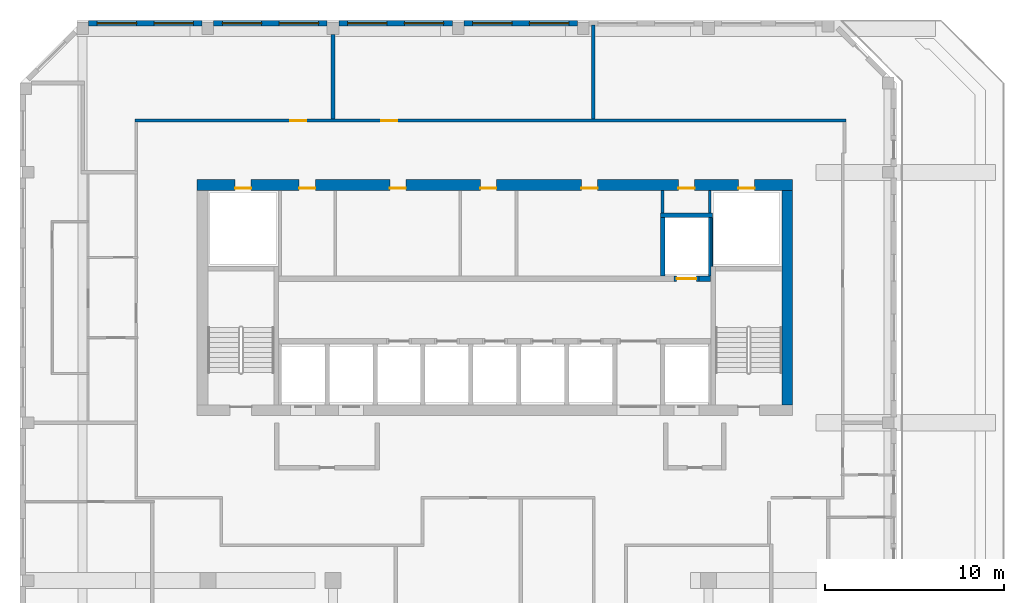
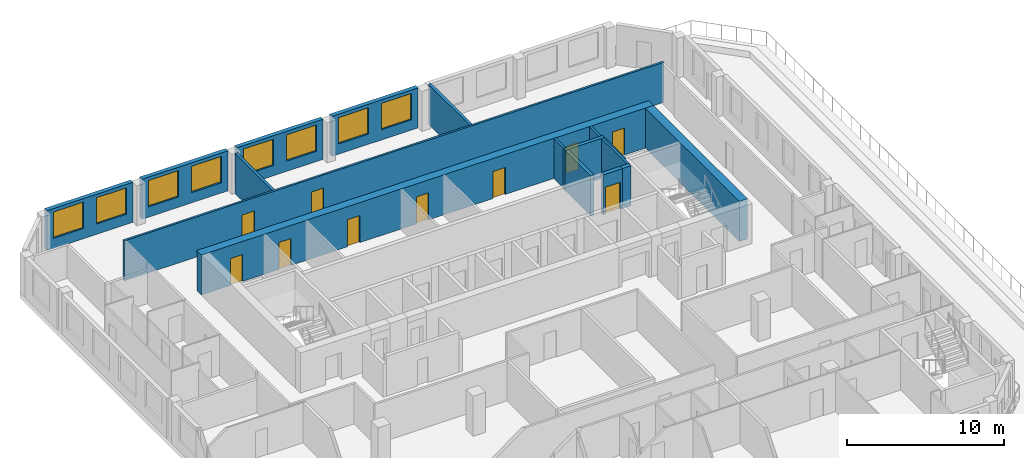
# One storey, part 8 of 13: 17 walls, 10 doors, 8 windows, 18 openings.
"""IFC4 building model written with IfcOpenShell, lengths in metres."""

import ifcopenshell
import ifcopenshell.guid

model = None  # the IFC model being written
_history = None  # IfcOwnerHistory: only IFC2X3 demands one
_inside = {}  # id of a spatial element -> (the spatial element, [elements in it])
_under = {}  # id of a project, library or spatial element -> (it, [spatial elements below it])
_declared = {}  # id of a project -> (the project, [libraries it declares])
_typed = {}  # id of a type object -> (the type object, [elements of that type])
_made_of = {}  # id of a material, layer set ... -> (it, [elements and type objects made of it])


def new_model(schema):
    """Start an empty IFC model of exactly this schema.

    Asked for "IFC4X3", IfcOpenShell would pick the latest addendum, in which some entities
    have other attributes; the version numbers below select the first issue.
    IFC2X3 requires an IfcOwnerHistory on every rooted entity: one is made here for all.
    """
    global model, _history
    if schema == "IFC4X3":
        model = ifcopenshell.file(schema_version=(4, 3, 0, 0))
    else:
        model = ifcopenshell.file(schema=schema)
    _inside.clear()
    _under.clear()
    _declared.clear()
    _typed.clear()
    _made_of.clear()
    _history = None
    if model.schema == "IFC2X3":
        org = make("IfcOrganization", Name="unknown")
        user = make(
            "IfcPersonAndOrganization",
            ThePerson=make("IfcPerson", FamilyName="unknown"),
            TheOrganization=org,
        )
        app = make(
            "IfcApplication",
            ApplicationDeveloper=org,
            Version="unknown",
            ApplicationFullName="unknown",
            ApplicationIdentifier="unknown",
        )
        _history = make(
            "IfcOwnerHistory",
            OwningUser=user,
            OwningApplication=app,
            ChangeAction="ADDED",
            CreationDate=0,
        )
    return model


def make(cls, **values):
    """One entity of the class cls with the attributes given. An attribute that is None is left unset."""
    return model.create_entity(
        cls, **{name: value for name, value in values.items() if value is not None}
    )


def rooted(cls, **values):
    """An entity with a GlobalId (a new one), such as an element, a storey or a relation."""
    return make(cls, GlobalId=ifcopenshell.guid.new(), OwnerHistory=_history, **values)


def si_unit(unit_type, name, prefix=None):
    """IfcSIUnit, for example si_unit("LENGTHUNIT", "METRE", prefix="MILLI")."""
    return make("IfcSIUnit", UnitType=unit_type, Prefix=prefix, Name=name)


def assignment(units):
    """IfcUnitAssignment: the units of a project."""
    return None if units is None else make("IfcUnitAssignment", Units=units)


def point(xyz):
    """IfcCartesianPoint."""
    return None if xyz is None else make("IfcCartesianPoint", Coordinates=xyz)


def direction(xyz):
    """IfcDirection."""
    return None if xyz is None else make("IfcDirection", DirectionRatios=xyz)


def frame(location, z_axis=None, x_axis=None):
    """IfcAxis2Placement3D, a coordinate frame: its origin and axes. An axis left out is left unset."""
    return make(
        "IfcAxis2Placement3D",
        Location=point(location),
        Axis=direction(z_axis),
        RefDirection=direction(x_axis),
    )


def frame_2d(location, x_axis=None):
    """IfcAxis2Placement2D, a coordinate frame in the plane: its origin and x axis."""
    return make(
        "IfcAxis2Placement2D", Location=point(location), RefDirection=direction(x_axis)
    )


def origin():
    """The frame at (0, 0, 0) with its axes left unset."""
    return frame((0.0, 0.0, 0.0))


def place(relative_to, where):
    """IfcLocalPlacement: puts the frame where relative to a parent placement (None: the world)."""
    return make(
        "IfcLocalPlacement", PlacementRelTo=relative_to, RelativePlacement=where
    )


def context(
    kind, dimensions, precision=None, world=None, true_north=None, identifier=None
):
    """IfcGeometricRepresentationContext, for example the 3D "Model" context."""
    return make(
        "IfcGeometricRepresentationContext",
        ContextIdentifier=identifier,
        ContextType=kind,
        CoordinateSpaceDimension=dimensions,
        Precision=precision,
        WorldCoordinateSystem=world,
        TrueNorth=true_north,
    )


def subcontext(parent, identifier, kind, view, scale=None):
    """IfcGeometricRepresentationSubContext, for example "Body" below "Model"."""
    return make(
        "IfcGeometricRepresentationSubContext",
        ContextIdentifier=identifier,
        ContextType=kind,
        ParentContext=parent,
        TargetScale=scale,
        TargetView=view,
    )


def project(units=None, contexts=None):
    """IfcProject with its units and contexts."""
    return rooted(
        "IfcProject",
        Name="project",
        RepresentationContexts=contexts,
        UnitsInContext=assignment(units),
    )


def spatial(cls, under=None, at=None, **own):
    """A site, building, storey or space (cls), placed at a placement, below another one or the project."""
    s = rooted(cls, ObjectPlacement=at, **own)
    if under is not None:
        _under.setdefault(under.id(), (under, []))[1].append(s)
    return s


def profile(cls, at=None, kind="AREA", **sizes):
    """A parametric profile (cls). Its sizes go by their IFC names, for example OverallWidth=200.0."""
    return make(cls, ProfileType=kind, Position=at, **sizes)


def rectangle(**sizes):
    """IfcRectangleProfileDef."""
    return profile("IfcRectangleProfileDef", **sizes)


def extrude(swept, where, along, depth):
    """IfcExtrudedAreaSolid: the profile swept, set in the frame where, extruded along a direction by depth."""
    return make(
        "IfcExtrudedAreaSolid",
        SweptArea=swept,
        Position=where,
        ExtrudedDirection=direction(along),
        Depth=depth,
    )


def shape(context_of_items, identifier, shape_type, items):
    """IfcShapeRepresentation: the items that make up one representation, for example the "Body"."""
    return make(
        "IfcShapeRepresentation",
        ContextOfItems=context_of_items,
        RepresentationIdentifier=identifier,
        RepresentationType=shape_type,
        Items=items,
    )


def source(mapping_origin, context_of_items, identifier, shape_type, items):
    """IfcRepresentationMap: a shape defined once, which mapped items show again and again."""
    return make(
        "IfcRepresentationMap",
        MappingOrigin=mapping_origin,
        MappedRepresentation=shape(context_of_items, identifier, shape_type, items),
    )


def transform(
    local_origin,
    x_axis=None,
    y_axis=None,
    z_axis=None,
    scale=None,
    scale2=None,
    scale3=None,
    uniform=True,
):
    """IfcCartesianTransformationOperator3D, or its non-uniform kind. x_axis, y_axis, z_axis: its Axis1, 2, 3."""
    if uniform:
        return make(
            "IfcCartesianTransformationOperator3D",
            Axis1=direction(x_axis),
            Axis2=direction(y_axis),
            LocalOrigin=point(local_origin),
            Scale=scale,
            Axis3=direction(z_axis),
        )
    return make(
        "IfcCartesianTransformationOperator3DnonUniform",
        Axis1=direction(x_axis),
        Axis2=direction(y_axis),
        LocalOrigin=point(local_origin),
        Scale=scale,
        Axis3=direction(z_axis),
        Scale2=scale2,
        Scale3=scale3,
    )


def mapped(mapping_source, mapping_target):
    """IfcMappedItem: shows the shape of a source again, moved by a transform."""
    return make(
        "IfcMappedItem", MappingSource=mapping_source, MappingTarget=mapping_target
    )


def material(Name=None, Category=None):
    """IfcMaterial."""
    return make("IfcMaterial", Name=Name, Category=Category)


def layer(
    of_material, thickness, ventilated=None, Name=None, Category=None, Priority=None
):
    """IfcMaterialLayer: one layer of a wall or slab, of a material (None: an air gap)."""
    return make(
        "IfcMaterialLayer",
        Material=of_material,
        LayerThickness=thickness,
        IsVentilated=ventilated,
        Name=Name,
        Category=Category,
        Priority=Priority,
    )


def layer_set(layers, Name=None):
    """IfcMaterialLayerSet."""
    return make("IfcMaterialLayerSet", MaterialLayers=layers, LayerSetName=Name)


def made_of(thing, what):
    """Note that an element or type object is made of a material, layer set ...; save() writes the relation."""
    if what is not None:
        _made_of.setdefault(what.id(), (what, []))[1].append(thing)
    return thing


def type_object(cls, material=None, **own):
    """A type object (cls), such as IfcWallType, which elements share."""
    return made_of(rooted(cls, **own), material)


def element(
    cls,
    number,
    at=None,
    inside=None,
    cuts=None,
    type_object=None,
    material=None,
    context=None,
    identifier="Body",
    shape_type=None,
    held_by="IfcProductDefinitionShape",
    body=None,
    shapes=None,
    **own,
):
    """One element of the class cls, such as IfcWall. Its Tag is "e" and its number.

    at: its placement. inside: the storey or other place that contains it. cuts: it is an
    opening in that element (IfcRelVoidsElement). A single representation is given by context,
    identifier, shape_type and body (its items); several are given by shapes. held_by: the class
    of the entity that holds the representations. save() writes the other relations.
    """
    e = rooted(cls, Tag="e%d" % number, ObjectPlacement=at, **own)
    if body is not None:
        shapes = [shape(context, identifier, shape_type, body)]
    if shapes is not None:
        e.Representation = make(held_by, Representations=shapes)
    if inside is not None:
        _inside.setdefault(inside.id(), (inside, []))[1].append(e)
    if cuts is not None:
        rooted(
            "IfcRelVoidsElement", RelatingBuildingElement=cuts, RelatedOpeningElement=e
        )
    if type_object is not None:
        _typed.setdefault(type_object.id(), (type_object, []))[1].append(e)
    return made_of(e, material)


def fill(opening, filler):
    """IfcRelFillsElement: the door or window that sits in an opening."""
    return rooted(
        "IfcRelFillsElement",
        RelatingOpeningElement=opening,
        RelatedBuildingElement=filler,
    )


def aggregate(whole, parts):
    """IfcRelAggregates: a whole, such as a stair, and the parts it consists of."""
    return rooted("IfcRelAggregates", RelatingObject=whole, RelatedObjects=parts)


def save(model, path):
    """Write the relations noted so far, then the file.

    IfcRelAggregates (storeys below a building ...), IfcRelContainedInSpatialStructure (elements
    in a storey), IfcRelDefinesByType, IfcRelAssociatesMaterial and IfcRelDeclares: one each for
    every whole, place, type object, material and project.
    """
    for whole, parts in _under.values():
        aggregate(whole, parts)
    for where, things in _inside.values():
        rooted(
            "IfcRelContainedInSpatialStructure",
            RelatedElements=things,
            RelatingStructure=where,
        )
    for kind, things in _typed.values():
        rooted("IfcRelDefinesByType", RelatedObjects=things, RelatingType=kind)
    for what, things in _made_of.values():
        rooted("IfcRelAssociatesMaterial", RelatedObjects=things, RelatingMaterial=what)
    for by, libraries in _declared.values():
        rooted("IfcRelDeclares", RelatingContext=by, RelatedDefinitions=libraries)
    model.write(path)


model = new_model("IFC4")

# Units and contexts
model_context = context("Model", 3, precision=1e-05, world=origin(), true_north=direction((0.0, 1.0)))
body_context = subcontext(model_context, "Body", "Model", "MODEL_VIEW")
ifc_project = project(units=[si_unit("LENGTHUNIT", "METRE"), si_unit("AREAUNIT", "SQUARE_METRE"), si_unit("VOLUMEUNIT", "CUBIC_METRE"), si_unit("PLANEANGLEUNIT", "RADIAN"), si_unit("MASSUNIT", "GRAM", prefix="KILO")], contexts=[model_context])

# Site, building, storey
site_placement = place(None, origin())
site = spatial("IfcSite", under=ifc_project, at=site_placement, CompositionType="ELEMENT")
building_placement = place(site_placement, origin())
building = spatial("IfcBuilding", under=site, at=building_placement, Name="Kilnfold Tower and Market Hall", CompositionType="ELEMENT")
storey_placement = place(building_placement, frame((0.0, 0.0, 267.0)))
storey = spatial("IfcBuildingStorey", under=building, at=storey_placement, Name="L65", CompositionType="ELEMENT", Elevation=267.0)

# Wall, openings, doors
ifc_material_1 = material(Name="Gypsum board on steel studs", Category="steel")
ifc_layer_1 = layer(ifc_material_1, 0.14990234375)
ifc_layer_set_1 = layer_set([ifc_layer_1], Name="Gypsum board on steel studs")
wall_type_1 = type_object("IfcWallType", Name="WALL CORRIDOR 150", PredefinedType="PARTITIONING", material=ifc_layer_set_1)
wall_1_placement = place(storey_placement, frame((-19.074951171875, 24.89990234375, 0.0), z_axis=(0.0, 0.0, 1.0), x_axis=(1.0, 0.0, 0.0)))
wall_1 = element("IfcWall", 1, at=wall_1_placement, inside=storey, type_object=wall_type_1, Name="Partition LY41.23", PredefinedType="PARTITIONING", context=body_context, shape_type="SweptSolid", body=[
    extrude(rectangle(XDim=39.75, YDim=0.14990234375, at=frame_2d((19.875, 0.0))), origin(), (0.0, 0.0, 1.0), 3.1201171875),
])
opening_1_placement = place(wall_1_placement, frame((8.674072265625, 0.0, 0.0)))
opening_1 = element("IfcOpeningElement", 2, at=opening_1_placement, cuts=wall_1, Name="Opening D2", PredefinedType="OPENING", context=body_context, shape_type="SweptSolid", body=[
    extrude(rectangle(XDim=0.89990234375, YDim=2.10009765625, at=frame_2d((0.449951171875, 1.050048828125))), frame((0.0, 0.0849609375, 0.0), z_axis=(0.0, -1.0, 0.0), x_axis=(1.0, 0.0, 0.0)), (0.0, 0.0, 1.0), 0.169921875),
])
opening_2_placement = place(wall_1_placement, frame((13.778076171875, 0.0, 0.0)))
opening_2 = element("IfcOpeningElement", 3, at=opening_2_placement, cuts=wall_1, Name="Opening D2", PredefinedType="OPENING", context=body_context, shape_type="SweptSolid", body=[
    extrude(rectangle(XDim=0.89990234375, YDim=2.10009765625, at=frame_2d((0.449951171875, 1.050048828125))), frame((0.0, 0.0849609375, 0.0), z_axis=(0.0, -1.0, 0.0), x_axis=(1.0, 0.0, 0.0)), (0.0, 0.0, 1.0), 0.169921875),
])
ifc_material_2 = material(Name="Timber veneer door leaf in steel frame", Category="steel")
door_type_1 = type_object("IfcDoorType", Name="DOOR ROOM 900 X2100", OperationType="NOTDEFINED", PredefinedType="DOOR", material=ifc_material_2)
door_1_placement = place(opening_1_placement, origin())
door_1 = element("IfcDoor", 4, at=door_1_placement, inside=storey, type_object=door_type_1, Name="Door D2", OperationType="SINGLE_SWING_RIGHT", OverallHeight=2.10009765625, OverallWidth=0.89990234375, PredefinedType="DOOR", context=body_context, shape_type="SweptSolid", body=[
    extrude(rectangle(XDim=0.89990234375, YDim=2.10009765625, at=frame_2d((0.449951171875, 1.050048828125))), frame((0.0, 0.02490234375, 0.0), z_axis=(0.0, -1.0, 0.0), x_axis=(1.0, 0.0, 0.0)), (0.0, 0.0, 1.0), 0.050048828125),
])
fill(opening_1, door_1)
door_2_placement = place(opening_2_placement, origin())
door_2 = element("IfcDoor", 5, at=door_2_placement, inside=storey, type_object=door_type_1, Name="Door D2", OperationType="SINGLE_SWING_RIGHT", OverallHeight=2.10009765625, OverallWidth=0.89990234375, PredefinedType="DOOR", context=body_context, shape_type="SweptSolid", body=[
    extrude(rectangle(XDim=0.89990234375, YDim=2.10009765625, at=frame_2d((0.449951171875, 1.050048828125))), frame((0.0, 0.02490234375, 0.0), z_axis=(0.0, -1.0, 0.0), x_axis=(1.0, 0.0, 0.0)), (0.0, 0.0, 1.0), 0.050048828125),
])
fill(opening_2, door_2)

# Walls
ifc_material_3 = material(Name="Gypsum board on steel studs", Category="steel")
ifc_layer_2 = layer(ifc_material_3, 0.199951171875)
ifc_layer_set_2 = layer_set([ifc_layer_2], Name="Gypsum board on steel studs")
wall_type_2 = type_object("IfcWallType", Name="WALL PARTY 200", PredefinedType="PARTITIONING", material=ifc_layer_set_2)
wall_2_placement = place(storey_placement, frame((6.550048828125, 24.97705078125, 0.0), z_axis=(0.0, 0.0, 1.0), x_axis=(0.0, 1.0, 0.0)))
element("IfcWall", 6, at=wall_2_placement, inside=storey, type_object=wall_type_2, Name="Partition LY41.80", PredefinedType="PARTITIONING", context=body_context, shape_type="SweptSolid", body=[
    extrude(rectangle(XDim=5.27294921875, YDim=0.199951171875, at=frame_2d((2.636474609375, 0.0))), origin(), (0.0, 0.0, 1.0), 3.1201171875),
])
wall_3_placement = place(storey_placement, frame((-8.0, 29.72509765625, 0.0), z_axis=(0.0, 0.0, 1.0), x_axis=(0.0, -1.0, 0.0)))
element("IfcWall", 7, at=wall_3_placement, inside=storey, type_object=wall_type_2, Name="Partition LY41.81", PredefinedType="PARTITIONING", context=body_context, shape_type="SweptSolid", body=[
    extrude(rectangle(XDim=4.748046875, YDim=0.199951171875, at=frame_2d((2.3740234375, 0.0))), origin(), (0.0, 0.0, 1.0), 3.1201171875),
])
ifc_material_4 = material(Name="Concrete C50", Category="concrete")
ifc_layer_3 = layer(ifc_material_4, 0.300048828125)
ifc_layer_set_3 = layer_set([ifc_layer_3], Name="Concrete C50")
wall_type_3 = type_object("IfcWallType", Name="CORE WALL 300 C50", PredefinedType="SHEAR", material=ifc_layer_set_3)
shared_shape_1 = source(origin(), body_context, "Body", "SweptSolid", [
    extrude(rectangle(XDim=0.64013671875, YDim=0.300048828125, at=frame_2d((0.320068359375, 0.0))), origin(), (0.0, 0.0, 1.0), 3.1201171875),
])
wall_4_placement = place(storey_placement, frame((12.469970703125, 16.050048828125, 0.0), z_axis=(0.0, 0.0, 1.0), x_axis=(1.0, 0.0, 0.0)))
element("IfcWall", 8, at=wall_4_placement, inside=storey, type_object=wall_type_3, Name="Core spine wall", PredefinedType="SHEAR", context=body_context, shape_type="MappedRepresentation", body=[
    mapped(shared_shape_1, transform((0.0, 0.0, 0.0))),
])

# Wall, openings, doors
ifc_material_5 = material(Name="Concrete C50", Category="concrete")
ifc_layer_4 = layer(ifc_material_5, 0.60009765625)
ifc_layer_set_4 = layer_set([ifc_layer_4], Name="Concrete C50")
wall_type_4 = type_object("IfcWallType", Name="CORE WALL 600 C50", PredefinedType="SHEAR", material=ifc_layer_set_4)
shared_shape_2 = source(origin(), body_context, "Body", "SweptSolid", [
    extrude(rectangle(XDim=33.300048828125, YDim=0.60009765625, at=frame_2d((16.64990234375, 0.0))), origin(), (0.0, 0.0, 1.0), 3.1201171875),
])
wall_5_placement = place(storey_placement, frame((-15.60009765625, 21.300048828125, 0.0), z_axis=(0.0, 0.0, 1.0), x_axis=(1.0, 0.0, 0.0)))
wall_5 = element("IfcWall", 9, at=wall_5_placement, inside=storey, type_object=wall_type_4, Name="Core outer wall north", PredefinedType="SHEAR", context=body_context, shape_type="MappedRepresentation", body=[
    mapped(shared_shape_2, transform((0.0, 0.0, 0.0))),
])
opening_3_placement = place(wall_5_placement, frame((5.707763671875, 0.0, 0.0)))
opening_3 = element("IfcOpeningElement", 10, at=opening_3_placement, cuts=wall_5, Name="Opening KD1", PredefinedType="OPENING", context=body_context, shape_type="SweptSolid", body=[
    extrude(rectangle(XDim=0.89990234375, YDim=2.10009765625, at=frame_2d((0.449951171875, 1.050048828125))), frame((0.0, 0.31005859375, 0.0), z_axis=(0.0, -1.0, 0.0), x_axis=(1.0, 0.0, 0.0)), (0.0, 0.0, 1.0), 0.6201171875),
])
opening_4_placement = place(wall_5_placement, frame((10.77294921875, 0.0, 0.0)))
opening_4 = element("IfcOpeningElement", 11, at=opening_4_placement, cuts=wall_5, Name="Opening KD1", PredefinedType="OPENING", context=body_context, shape_type="SweptSolid", body=[
    extrude(rectangle(XDim=0.89990234375, YDim=2.10009765625, at=frame_2d((0.449951171875, 1.050048828125))), frame((0.0, 0.31005859375, 0.0), z_axis=(0.0, -1.0, 0.0), x_axis=(1.0, 0.0, 0.0)), (0.0, 0.0, 1.0), 0.6201171875),
])
opening_5_placement = place(wall_5_placement, frame((15.838134765625, 0.0, 0.0)))
opening_5 = element("IfcOpeningElement", 12, at=opening_5_placement, cuts=wall_5, Name="Opening KD1", PredefinedType="OPENING", context=body_context, shape_type="SweptSolid", body=[
    extrude(rectangle(XDim=0.89990234375, YDim=2.10009765625, at=frame_2d((0.449951171875, 1.050048828125))), frame((0.0, 0.31005859375, 0.0), z_axis=(0.0, -1.0, 0.0), x_axis=(1.0, 0.0, 0.0)), (0.0, 0.0, 1.0), 0.6201171875),
])
opening_6_placement = place(wall_5_placement, frame((21.492919921875, 0.0, 0.0)))
opening_6 = element("IfcOpeningElement", 13, at=opening_6_placement, cuts=wall_5, Name="Opening KD1", PredefinedType="OPENING", context=body_context, shape_type="SweptSolid", body=[
    extrude(rectangle(XDim=0.89990234375, YDim=2.10009765625, at=frame_2d((0.449951171875, 1.050048828125))), frame((0.0, 0.31005859375, 0.0), z_axis=(0.0, -1.0, 0.0), x_axis=(1.0, 0.0, 0.0)), (0.0, 0.0, 1.0), 0.6201171875),
])
opening_7_placement = place(wall_5_placement, frame((26.919921875, 0.0, 0.0)))
opening_7 = element("IfcOpeningElement", 14, at=opening_7_placement, cuts=wall_5, Name="Opening KD1", PredefinedType="OPENING", context=body_context, shape_type="SweptSolid", body=[
    extrude(rectangle(XDim=0.89990234375, YDim=2.10009765625, at=frame_2d((0.449951171875, 1.050048828125))), frame((0.0, 0.31005859375, 0.0), z_axis=(0.0, -1.0, 0.0), x_axis=(1.0, 0.0, 0.0)), (0.0, 0.0, 1.0), 0.6201171875),
])
opening_8_placement = place(wall_5_placement, frame((2.125, 0.0, 0.0)))
opening_8 = element("IfcOpeningElement", 15, at=opening_8_placement, cuts=wall_5, Name="Opening KD1", PredefinedType="OPENING", context=body_context, shape_type="SweptSolid", body=[
    extrude(rectangle(XDim=0.89990234375, YDim=2.10009765625, at=frame_2d((0.449951171875, 1.050048828125))), frame((0.0, 0.31005859375, 0.0), z_axis=(0.0, -1.0, 0.0), x_axis=(1.0, 0.0, 0.0)), (0.0, 0.0, 1.0), 0.6201171875),
])
opening_9_placement = place(wall_5_placement, frame((30.27490234375, 0.0, 0.0)))
opening_9 = element("IfcOpeningElement", 16, at=opening_9_placement, cuts=wall_5, Name="Opening KD1", PredefinedType="OPENING", context=body_context, shape_type="SweptSolid", body=[
    extrude(rectangle(XDim=0.89990234375, YDim=2.10009765625, at=frame_2d((0.449951171875, 1.050048828125))), frame((0.0, 0.31005859375, 0.0), z_axis=(0.0, -1.0, 0.0), x_axis=(1.0, 0.0, 0.0)), (0.0, 0.0, 1.0), 0.6201171875),
])
ifc_material_6 = material(Name="Steel door set with fire-resisting leaf", Category="steel")
door_type_2 = type_object("IfcDoorType", Name="SERVICE DOOR 900X2100", OperationType="NOTDEFINED", PredefinedType="DOOR", material=ifc_material_6)
door_3_placement = place(opening_3_placement, origin())
door_3 = element("IfcDoor", 17, at=door_3_placement, inside=storey, type_object=door_type_2, Name="Core service door", OperationType="SINGLE_SWING_RIGHT", OverallHeight=2.10009765625, OverallWidth=0.89990234375, PredefinedType="DOOR", context=body_context, shape_type="SweptSolid", body=[
    extrude(rectangle(XDim=0.89990234375, YDim=2.10009765625, at=frame_2d((0.449951171875, 1.050048828125))), frame((0.0, -0.15478515625, 0.0), z_axis=(0.0, -1.0, 0.0), x_axis=(1.0, 0.0, 0.0)), (0.0, 0.0, 1.0), 0.050048828125),
])
fill(opening_3, door_3)
door_4_placement = place(opening_4_placement, origin())
door_4 = element("IfcDoor", 18, at=door_4_placement, inside=storey, type_object=door_type_2, Name="Core service door", OperationType="SINGLE_SWING_LEFT", OverallHeight=2.10009765625, OverallWidth=0.89990234375, PredefinedType="DOOR", context=body_context, shape_type="SweptSolid", body=[
    extrude(rectangle(XDim=0.89990234375, YDim=2.10009765625, at=frame_2d((0.449951171875, 1.050048828125))), frame((0.0, -0.15478515625, 0.0), z_axis=(0.0, -1.0, 0.0), x_axis=(1.0, 0.0, 0.0)), (0.0, 0.0, 1.0), 0.050048828125),
])
fill(opening_4, door_4)
door_5_placement = place(opening_5_placement, origin())
door_5 = element("IfcDoor", 19, at=door_5_placement, inside=storey, type_object=door_type_2, Name="Core service door", OperationType="SINGLE_SWING_RIGHT", OverallHeight=2.10009765625, OverallWidth=0.89990234375, PredefinedType="DOOR", context=body_context, shape_type="SweptSolid", body=[
    extrude(rectangle(XDim=0.89990234375, YDim=2.10009765625, at=frame_2d((0.449951171875, 1.050048828125))), frame((0.0, -0.15478515625, 0.0), z_axis=(0.0, -1.0, 0.0), x_axis=(1.0, 0.0, 0.0)), (0.0, 0.0, 1.0), 0.050048828125),
])
fill(opening_5, door_5)
door_6_placement = place(opening_6_placement, origin())
door_6 = element("IfcDoor", 20, at=door_6_placement, inside=storey, type_object=door_type_2, Name="Core service door", OperationType="SINGLE_SWING_LEFT", OverallHeight=2.10009765625, OverallWidth=0.89990234375, PredefinedType="DOOR", context=body_context, shape_type="SweptSolid", body=[
    extrude(rectangle(XDim=0.89990234375, YDim=2.10009765625, at=frame_2d((0.449951171875, 1.050048828125))), frame((0.0, -0.15478515625, 0.0), z_axis=(0.0, -1.0, 0.0), x_axis=(1.0, 0.0, 0.0)), (0.0, 0.0, 1.0), 0.050048828125),
])
fill(opening_6, door_6)
door_7_placement = place(opening_7_placement, origin())
door_7 = element("IfcDoor", 21, at=door_7_placement, inside=storey, type_object=door_type_2, Name="Core service door", OperationType="SINGLE_SWING_RIGHT", OverallHeight=2.10009765625, OverallWidth=0.89990234375, PredefinedType="DOOR", context=body_context, shape_type="SweptSolid", body=[
    extrude(rectangle(XDim=0.89990234375, YDim=2.10009765625, at=frame_2d((0.449951171875, 1.050048828125))), frame((0.0, -0.15478515625, 0.0), z_axis=(0.0, -1.0, 0.0), x_axis=(1.0, 0.0, 0.0)), (0.0, 0.0, 1.0), 0.050048828125),
])
fill(opening_7, door_7)
door_8_placement = place(opening_8_placement, origin())
door_8 = element("IfcDoor", 22, at=door_8_placement, inside=storey, type_object=door_type_2, Name="Electrical riser access door", OperationType="SINGLE_SWING_LEFT", OverallHeight=2.10009765625, OverallWidth=0.89990234375, PredefinedType="DOOR", context=body_context, shape_type="SweptSolid", body=[
    extrude(rectangle(XDim=0.89990234375, YDim=2.10009765625, at=frame_2d((0.449951171875, 1.050048828125))), frame((0.0, -0.15478515625, 0.0), z_axis=(0.0, -1.0, 0.0), x_axis=(1.0, 0.0, 0.0)), (0.0, 0.0, 1.0), 0.050048828125),
])
fill(opening_8, door_8)
door_9_placement = place(opening_9_placement, origin())
door_9 = element("IfcDoor", 23, at=door_9_placement, inside=storey, type_object=door_type_2, Name="Mechanical riser access door", OperationType="SINGLE_SWING_RIGHT", OverallHeight=2.10009765625, OverallWidth=0.89990234375, PredefinedType="DOOR", context=body_context, shape_type="SweptSolid", body=[
    extrude(rectangle(XDim=0.89990234375, YDim=2.10009765625, at=frame_2d((0.449951171875, 1.050048828125))), frame((0.0, -0.15478515625, 0.0), z_axis=(0.0, -1.0, 0.0), x_axis=(1.0, 0.0, 0.0)), (0.0, 0.0, 1.0), 0.050048828125),
])
fill(opening_9, door_9)

# Wall
shared_shape_3 = source(origin(), body_context, "Body", "SweptSolid", [
    extrude(rectangle(XDim=12.0, YDim=0.60009765625, at=frame_2d((6.0, 0.0))), origin(), (0.0, 0.0, 1.0), 3.1201171875),
])
wall_6_placement = place(storey_placement, frame((17.39990234375, 9.0, 0.0), z_axis=(0.0, 0.0, 1.0), x_axis=(0.0, 1.0, 0.0)))
element("IfcWall", 24, at=wall_6_placement, inside=storey, type_object=wall_type_4, Name="Core outer wall east", PredefinedType="SHEAR", context=body_context, shape_type="MappedRepresentation", body=[
    mapped(shared_shape_3, transform((0.0, 0.0, 0.0))),
])

# Wall, openings, windows
ifc_material_7 = material(Name="Precast concrete C50/60", Category="concrete")
ifc_layer_5 = layer(ifc_material_7, 0.300048828125)
ifc_layer_set_5 = layer_set([ifc_layer_5], Name="Precast concrete C50/60")
wall_type_5 = type_object("IfcWallType", Name="PRECAST WALL 300", PredefinedType="SOLIDWALL", material=ifc_layer_set_5)
shared_shape_4 = source(origin(), body_context, "Body", "SweptSolid", [
    extrude(rectangle(XDim=6.35009765625, YDim=0.300048828125, at=frame_2d((3.175048828125, 0.0))), origin(), (0.0, 0.0, 1.0), 3.1201171875),
])
wall_7_placement = place(storey_placement, frame((5.675048828125, 30.35009765625, 0.0), z_axis=(0.0, 0.0, 1.0), x_axis=(-1.0, 0.0, 0.0)))
wall_7 = element("IfcWall", 25, at=wall_7_placement, inside=storey, type_object=wall_type_5, Name="External wall L65 N", PredefinedType="SOLIDWALL", context=body_context, shape_type="MappedRepresentation", body=[
    mapped(shared_shape_4, transform((0.0, 0.0, 0.0))),
])
opening_10_placement = place(wall_7_placement, frame((0.487548828125, 0.0, 0.800048828125)))
opening_10 = element("IfcOpeningElement", 26, at=opening_10_placement, cuts=wall_7, Name="Opening W3", PredefinedType="OPENING", context=body_context, shape_type="SweptSolid", body=[
    extrude(rectangle(XDim=2.199951171875, YDim=2.050048828125, at=frame_2d((1.10009765625, 1.02490234375))), frame((0.0, 0.16015625, 0.0), z_axis=(0.0, -1.0, 0.0), x_axis=(1.0, 0.0, 0.0)), (0.0, 0.0, 1.0), 0.320068359375),
])
opening_11_placement = place(wall_7_placement, frame((3.66259765625, 0.0, 0.800048828125)))
opening_11 = element("IfcOpeningElement", 27, at=opening_11_placement, cuts=wall_7, Name="Opening W3", PredefinedType="OPENING", context=body_context, shape_type="SweptSolid", body=[
    extrude(rectangle(XDim=2.199951171875, YDim=2.050048828125, at=frame_2d((1.10009765625, 1.02490234375))), frame((0.0, 0.16015625, 0.0), z_axis=(0.0, -1.0, 0.0), x_axis=(1.0, 0.0, 0.0)), (0.0, 0.0, 1.0), 0.320068359375),
])
ifc_material_8 = material(Name="Aluminium frame and double glazing", Category="aluminium")
window_type = type_object("IfcWindowType", Name="WINDOW W3 2200X2050", PartitioningType="SINGLE_PANEL", PredefinedType="WINDOW", material=ifc_material_8)
window_1_placement = place(opening_10_placement, origin())
window_1 = element("IfcWindow", 28, at=window_1_placement, inside=storey, type_object=window_type, Name="Window W3 L65 N-1", OverallHeight=2.050048828125, OverallWidth=2.199951171875, PartitioningType="SINGLE_PANEL", PredefinedType="WINDOW", context=body_context, shape_type="SweptSolid", body=[
    extrude(rectangle(XDim=2.199951171875, YDim=2.050048828125, at=frame_2d((1.10009765625, 1.02490234375))), frame((0.0, 0.030029296875, 0.0), z_axis=(0.0, -1.0, 0.0), x_axis=(1.0, 0.0, 0.0)), (0.0, 0.0, 1.0), 0.06005859375),
])
fill(opening_10, window_1)
window_2_placement = place(opening_11_placement, origin())
window_2 = element("IfcWindow", 29, at=window_2_placement, inside=storey, type_object=window_type, Name="Window W3 L65 N-2", OverallHeight=2.050048828125, OverallWidth=2.199951171875, PartitioningType="SINGLE_PANEL", PredefinedType="WINDOW", context=body_context, shape_type="SweptSolid", body=[
    extrude(rectangle(XDim=2.199951171875, YDim=2.050048828125, at=frame_2d((1.10009765625, 1.02490234375))), frame((0.0, 0.030029296875, 0.0), z_axis=(0.0, -1.0, 0.0), x_axis=(1.0, 0.0, 0.0)), (0.0, 0.0, 1.0), 0.06005859375),
])
fill(opening_11, window_2)

wall_8_placement = place(storey_placement, frame((-1.324951171875, 30.35009765625, 0.0), z_axis=(0.0, 0.0, 1.0), x_axis=(-1.0, 0.0, 0.0)))
wall_8 = element("IfcWall", 30, at=wall_8_placement, inside=storey, type_object=wall_type_5, Name="External wall L65 N", PredefinedType="SOLIDWALL", context=body_context, shape_type="MappedRepresentation", body=[
    mapped(shared_shape_4, transform((0.0, 0.0, 0.0))),
])
opening_12_placement = place(wall_8_placement, frame((0.487548828125, 0.0, 0.800048828125)))
opening_12 = element("IfcOpeningElement", 31, at=opening_12_placement, cuts=wall_8, Name="Opening W3", PredefinedType="OPENING", context=body_context, shape_type="SweptSolid", body=[
    extrude(rectangle(XDim=2.199951171875, YDim=2.050048828125, at=frame_2d((1.10009765625, 1.02490234375))), frame((0.0, 0.16015625, 0.0), z_axis=(0.0, -1.0, 0.0), x_axis=(1.0, 0.0, 0.0)), (0.0, 0.0, 1.0), 0.320068359375),
])
opening_13_placement = place(wall_8_placement, frame((3.66259765625, 0.0, 0.800048828125)))
opening_13 = element("IfcOpeningElement", 32, at=opening_13_placement, cuts=wall_8, Name="Opening W3", PredefinedType="OPENING", context=body_context, shape_type="SweptSolid", body=[
    extrude(rectangle(XDim=2.199951171875, YDim=2.050048828125, at=frame_2d((1.10009765625, 1.02490234375))), frame((0.0, 0.16015625, 0.0), z_axis=(0.0, -1.0, 0.0), x_axis=(1.0, 0.0, 0.0)), (0.0, 0.0, 1.0), 0.320068359375),
])
window_3_placement = place(opening_12_placement, origin())
window_3 = element("IfcWindow", 33, at=window_3_placement, inside=storey, type_object=window_type, Name="Window W3 L65 N-1", OverallHeight=2.050048828125, OverallWidth=2.199951171875, PartitioningType="SINGLE_PANEL", PredefinedType="WINDOW", context=body_context, shape_type="SweptSolid", body=[
    extrude(rectangle(XDim=2.199951171875, YDim=2.050048828125, at=frame_2d((1.10009765625, 1.02490234375))), frame((0.0, 0.030029296875, 0.0), z_axis=(0.0, -1.0, 0.0), x_axis=(1.0, 0.0, 0.0)), (0.0, 0.0, 1.0), 0.06005859375),
])
fill(opening_12, window_3)
window_4_placement = place(opening_13_placement, origin())
window_4 = element("IfcWindow", 34, at=window_4_placement, inside=storey, type_object=window_type, Name="Window W3 L65 N-2", OverallHeight=2.050048828125, OverallWidth=2.199951171875, PartitioningType="SINGLE_PANEL", PredefinedType="WINDOW", context=body_context, shape_type="SweptSolid", body=[
    extrude(rectangle(XDim=2.199951171875, YDim=2.050048828125, at=frame_2d((1.10009765625, 1.02490234375))), frame((0.0, 0.030029296875, 0.0), z_axis=(0.0, -1.0, 0.0), x_axis=(1.0, 0.0, 0.0)), (0.0, 0.0, 1.0), 0.06005859375),
])
fill(opening_13, window_4)

wall_9_placement = place(storey_placement, frame((-8.324951171875, 30.35009765625, 0.0), z_axis=(0.0, 0.0, 1.0), x_axis=(-1.0, 0.0, 0.0)))
wall_9 = element("IfcWall", 35, at=wall_9_placement, inside=storey, type_object=wall_type_5, Name="External wall L65 N", PredefinedType="SOLIDWALL", context=body_context, shape_type="MappedRepresentation", body=[
    mapped(shared_shape_4, transform((0.0, 0.0, 0.0))),
])
opening_14_placement = place(wall_9_placement, frame((0.487548828125, 0.0, 0.800048828125)))
opening_14 = element("IfcOpeningElement", 36, at=opening_14_placement, cuts=wall_9, Name="Opening W3", PredefinedType="OPENING", context=body_context, shape_type="SweptSolid", body=[
    extrude(rectangle(XDim=2.199951171875, YDim=2.050048828125, at=frame_2d((1.10009765625, 1.02490234375))), frame((0.0, 0.16015625, 0.0), z_axis=(0.0, -1.0, 0.0), x_axis=(1.0, 0.0, 0.0)), (0.0, 0.0, 1.0), 0.320068359375),
])
opening_15_placement = place(wall_9_placement, frame((3.66259765625, 0.0, 0.800048828125)))
opening_15 = element("IfcOpeningElement", 37, at=opening_15_placement, cuts=wall_9, Name="Opening W3", PredefinedType="OPENING", context=body_context, shape_type="SweptSolid", body=[
    extrude(rectangle(XDim=2.199951171875, YDim=2.050048828125, at=frame_2d((1.10009765625, 1.02490234375))), frame((0.0, 0.16015625, 0.0), z_axis=(0.0, -1.0, 0.0), x_axis=(1.0, 0.0, 0.0)), (0.0, 0.0, 1.0), 0.320068359375),
])
window_5_placement = place(opening_14_placement, origin())
window_5 = element("IfcWindow", 38, at=window_5_placement, inside=storey, type_object=window_type, Name="Window W3 L65 N-1", OverallHeight=2.050048828125, OverallWidth=2.199951171875, PartitioningType="SINGLE_PANEL", PredefinedType="WINDOW", context=body_context, shape_type="SweptSolid", body=[
    extrude(rectangle(XDim=2.199951171875, YDim=2.050048828125, at=frame_2d((1.10009765625, 1.02490234375))), frame((0.0, 0.030029296875, 0.0), z_axis=(0.0, -1.0, 0.0), x_axis=(1.0, 0.0, 0.0)), (0.0, 0.0, 1.0), 0.06005859375),
])
fill(opening_14, window_5)
window_6_placement = place(opening_15_placement, origin())
window_6 = element("IfcWindow", 39, at=window_6_placement, inside=storey, type_object=window_type, Name="Window W3 L65 N-2", OverallHeight=2.050048828125, OverallWidth=2.199951171875, PartitioningType="SINGLE_PANEL", PredefinedType="WINDOW", context=body_context, shape_type="SweptSolid", body=[
    extrude(rectangle(XDim=2.199951171875, YDim=2.050048828125, at=frame_2d((1.10009765625, 1.02490234375))), frame((0.0, 0.030029296875, 0.0), z_axis=(0.0, -1.0, 0.0), x_axis=(1.0, 0.0, 0.0)), (0.0, 0.0, 1.0), 0.06005859375),
])
fill(opening_15, window_6)

wall_10_placement = place(storey_placement, frame((-15.324951171875, 30.35009765625, 0.0), z_axis=(0.0, 0.0, 1.0), x_axis=(-1.0, 0.0, 0.0)))
wall_10 = element("IfcWall", 40, at=wall_10_placement, inside=storey, type_object=wall_type_5, Name="External wall L65 N", PredefinedType="SOLIDWALL", context=body_context, shape_type="MappedRepresentation", body=[
    mapped(shared_shape_4, transform((0.0, 0.0, 0.0))),
])
opening_16_placement = place(wall_10_placement, frame((0.487548828125, 0.0, 0.800048828125)))
opening_16 = element("IfcOpeningElement", 41, at=opening_16_placement, cuts=wall_10, Name="Opening W3", PredefinedType="OPENING", context=body_context, shape_type="SweptSolid", body=[
    extrude(rectangle(XDim=2.199951171875, YDim=2.050048828125, at=frame_2d((1.10009765625, 1.02490234375))), frame((0.0, 0.16015625, 0.0), z_axis=(0.0, -1.0, 0.0), x_axis=(1.0, 0.0, 0.0)), (0.0, 0.0, 1.0), 0.320068359375),
])
opening_17_placement = place(wall_10_placement, frame((3.66259765625, 0.0, 0.800048828125)))
opening_17 = element("IfcOpeningElement", 42, at=opening_17_placement, cuts=wall_10, Name="Opening W3", PredefinedType="OPENING", context=body_context, shape_type="SweptSolid", body=[
    extrude(rectangle(XDim=2.199951171875, YDim=2.050048828125, at=frame_2d((1.10009765625, 1.02490234375))), frame((0.0, 0.16015625, 0.0), z_axis=(0.0, -1.0, 0.0), x_axis=(1.0, 0.0, 0.0)), (0.0, 0.0, 1.0), 0.320068359375),
])
window_7_placement = place(opening_16_placement, origin())
window_7 = element("IfcWindow", 43, at=window_7_placement, inside=storey, type_object=window_type, Name="Window W3 L65 N-1", OverallHeight=2.050048828125, OverallWidth=2.199951171875, PartitioningType="SINGLE_PANEL", PredefinedType="WINDOW", context=body_context, shape_type="SweptSolid", body=[
    extrude(rectangle(XDim=2.199951171875, YDim=2.050048828125, at=frame_2d((1.10009765625, 1.02490234375))), frame((0.0, 0.030029296875, 0.0), z_axis=(0.0, -1.0, 0.0), x_axis=(1.0, 0.0, 0.0)), (0.0, 0.0, 1.0), 0.06005859375),
])
fill(opening_16, window_7)
window_8_placement = place(opening_17_placement, origin())
window_8 = element("IfcWindow", 44, at=window_8_placement, inside=storey, type_object=window_type, Name="Window W3 L65 N-2", OverallHeight=2.050048828125, OverallWidth=2.199951171875, PartitioningType="SINGLE_PANEL", PredefinedType="WINDOW", context=body_context, shape_type="SweptSolid", body=[
    extrude(rectangle(XDim=2.199951171875, YDim=2.050048828125, at=frame_2d((1.10009765625, 1.02490234375))), frame((0.0, 0.030029296875, 0.0), z_axis=(0.0, -1.0, 0.0), x_axis=(1.0, 0.0, 0.0)), (0.0, 0.0, 1.0), 0.06005859375),
])
fill(opening_17, window_8)

# Wall, opening, door
ifc_material_9 = material(Name="Gypsum shaft wall system")
ifc_layer_6 = layer(ifc_material_9, 0.300048828125)
ifc_layer_set_6 = layer_set([ifc_layer_6], Name="Gypsum shaft wall system")
wall_type_6 = type_object("IfcWallType", Name="SHAFT WALL 300", PredefinedType="PARTITIONING", material=ifc_layer_set_6)
shared_shape_5 = source(origin(), body_context, "Body", "SweptSolid", [
    extrude(rectangle(XDim=1.39990234375, YDim=0.300048828125, at=frame_2d((0.699951171875, 0.0))), origin(), (0.0, 0.0, 1.0), 3.1201171875),
])
wall_11_placement = place(storey_placement, frame((11.070068359375, 16.050048828125, 0.0), z_axis=(0.0, 0.0, 1.0), x_axis=(1.0, 0.0, 0.0)))
wall_11 = element("IfcWall", 45, at=wall_11_placement, inside=storey, type_object=wall_type_6, Name="Lift shaft front wall", PredefinedType="PARTITIONING", context=body_context, shape_type="MappedRepresentation", body=[
    mapped(shared_shape_5, transform((0.0, 0.0, 0.0))),
])
opening_18_placement = place(wall_11_placement, frame((0.14990234375, 0.0, 0.0)))
opening_18 = element("IfcOpeningElement", 46, at=opening_18_placement, cuts=wall_11, Name="Opening LD2", PredefinedType="OPENING", context=body_context, shape_type="SweptSolid", body=[
    extrude(rectangle(XDim=1.10009765625, YDim=2.10009765625, at=frame_2d((0.550048828125, 1.050048828125))), frame((0.0, 0.16015625, 0.0), z_axis=(0.0, -1.0, 0.0), x_axis=(1.0, 0.0, 0.0)), (0.0, 0.0, 1.0), 0.320068359375),
])
ifc_material_10 = material(Name="Steel door set with fire-resisting leaf", Category="steel")
door_type_3 = type_object("IfcDoorType", Name="LANDING DOOR 1100X2100", OperationType="NOTDEFINED", PredefinedType="DOOR", material=ifc_material_10)
door_10_placement = place(opening_18_placement, origin())
door_10 = element("IfcDoor", 47, at=door_10_placement, inside=storey, type_object=door_type_3, Name="Landing door HR6", OperationType="DOUBLE_DOOR_SLIDING", OverallHeight=2.10009765625, OverallWidth=1.10009765625, PredefinedType="DOOR", context=body_context, shape_type="SweptSolid", body=[
    extrude(rectangle(XDim=1.10009765625, YDim=2.10009765625, at=frame_2d((0.550048828125, 1.050048828125))), frame((0.0, 0.02490234375, 0.0), z_axis=(0.0, -1.0, 0.0), x_axis=(1.0, 0.0, 0.0)), (0.0, 0.0, 1.0), 0.050048828125),
])
fill(opening_18, door_10)

# Walls
ifc_material_11 = material(Name="Gypsum shaft wall system")
ifc_layer_7 = layer(ifc_material_11, 0.1650390625)
ifc_layer_set_7 = layer_set([ifc_layer_7], Name="Gypsum shaft wall system")
wall_type_7 = type_object("IfcWallType", Name="SHAFT WALL 165", PredefinedType="PARTITIONING", material=ifc_layer_set_7)
shared_shape_6 = source(origin(), body_context, "Body", "SweptSolid", [
    extrude(rectangle(XDim=3.275146484375, YDim=0.1650390625, at=frame_2d((1.6376953125, 0.0))), origin(), (0.0, 0.0, 1.0), 3.1201171875),
])
wall_12_placement = place(storey_placement, frame((13.0673828125, 16.199951171875, 0.0), z_axis=(0.0, 0.0, 1.0), x_axis=(0.0, 1.0, 0.0)))
element("IfcWall", 48, at=wall_12_placement, inside=storey, type_object=wall_type_7, Name="Lift shaft wall", PredefinedType="PARTITIONING", context=body_context, shape_type="MappedRepresentation", body=[
    mapped(shared_shape_6, transform((0.0, 0.0, 0.0))),
])
shared_shape_7 = source(origin(), body_context, "Body", "SweptSolid", [
    extrude(rectangle(XDim=1.27490234375, YDim=0.1650390625, at=frame_2d((0.637451171875, 0.0))), origin(), (0.0, 0.0, 1.0), 3.1201171875),
])
wall_13_placement = place(storey_placement, frame((13.0673828125, 19.72509765625, 0.0), z_axis=(0.0, 0.0, 1.0), x_axis=(0.0, 1.0, 0.0)))
element("IfcWall", 49, at=wall_13_placement, inside=storey, type_object=wall_type_7, Name="Lift shaft wall", PredefinedType="PARTITIONING", context=body_context, shape_type="MappedRepresentation", body=[
    mapped(shared_shape_7, transform((0.0, 0.0, 0.0))),
])
ifc_material_12 = material(Name="Gypsum shaft wall system")
ifc_layer_8 = layer(ifc_material_12, 0.25)
ifc_layer_set_8 = layer_set([ifc_layer_8], Name="Gypsum shaft wall system")
wall_type_8 = type_object("IfcWallType", Name="SHAFT WALL 250", PredefinedType="PARTITIONING", material=ifc_layer_set_8)
shared_shape_8 = source(origin(), body_context, "Body", "SweptSolid", [
    extrude(rectangle(XDim=3.275146484375, YDim=0.25, at=frame_2d((1.6376953125, 0.0))), origin(), (0.0, 0.0, 1.0), 3.1201171875),
])
wall_14_placement = place(storey_placement, frame((10.429931640625, 16.199951171875, 0.0), z_axis=(0.0, 0.0, 1.0), x_axis=(0.0, 1.0, 0.0)))
element("IfcWall", 50, at=wall_14_placement, inside=storey, type_object=wall_type_8, Name="Lift shaft wall", PredefinedType="PARTITIONING", context=body_context, shape_type="MappedRepresentation", body=[
    mapped(shared_shape_8, transform((0.0, 0.0, 0.0))),
])
ifc_material_13 = material(Name="Gypsum shaft wall system")
ifc_layer_9 = layer(ifc_material_13, 0.0849609375)
ifc_layer_set_9 = layer_set([ifc_layer_9], Name="Gypsum shaft wall system")
wall_type_9 = type_object("IfcWallType", Name="SHAFT WALL 85", PredefinedType="PARTITIONING", material=ifc_layer_set_9)
shared_shape_9 = source(origin(), body_context, "Body", "SweptSolid", [
    extrude(rectangle(XDim=2.72509765625, YDim=0.0849609375, at=frame_2d((1.362548828125, 0.0))), origin(), (0.0, 0.0, 1.0), 3.1201171875),
])
wall_15_placement = place(storey_placement, frame((13.1923828125, 16.75, 0.0), z_axis=(0.0, 0.0, 1.0), x_axis=(0.0, 1.0, 0.0)))
element("IfcWall", 51, at=wall_15_placement, inside=storey, type_object=wall_type_9, Name="Lift shaft wall", PredefinedType="PARTITIONING", context=body_context, shape_type="MappedRepresentation", body=[
    mapped(shared_shape_9, transform((0.0, 0.0, 0.0))),
])
ifc_material_14 = material(Name="Gypsum shaft wall system")
ifc_layer_10 = layer(ifc_material_14, 0.14990234375)
ifc_layer_set_10 = layer_set([ifc_layer_10], Name="Gypsum shaft wall system")
wall_type_10 = type_object("IfcWallType", Name="ROOM WALL 150", PredefinedType="PARTITIONING", material=ifc_layer_set_10)
shared_shape_10 = source(origin(), body_context, "Body", "SweptSolid", [
    extrude(rectangle(XDim=1.27490234375, YDim=0.14990234375, at=frame_2d((0.637451171875, 0.0))), origin(), (0.0, 0.0, 1.0), 3.1201171875),
])
wall_16_placement = place(storey_placement, frame((10.429931640625, 19.72509765625, 0.0), z_axis=(0.0, 0.0, 1.0), x_axis=(0.0, 1.0, 0.0)))
element("IfcWall", 52, at=wall_16_placement, inside=storey, type_object=wall_type_10, Name="Core room wall", PredefinedType="PARTITIONING", context=body_context, shape_type="MappedRepresentation", body=[
    mapped(shared_shape_10, transform((0.0, 0.0, 0.0))),
])
shared_shape_11 = source(origin(), body_context, "Body", "SweptSolid", [
    extrude(rectangle(XDim=2.93017578125, YDim=0.25, at=frame_2d((1.465087890625, 0.0))), origin(), (0.0, 0.0, 1.0), 3.1201171875),
])
wall_17_placement = place(storey_placement, frame((10.304931640625, 19.60009765625, 0.0), z_axis=(0.0, 0.0, 1.0), x_axis=(1.0, 0.0, 0.0)))
element("IfcWall", 53, at=wall_17_placement, inside=storey, type_object=wall_type_8, Name="Lift shaft wall", PredefinedType="PARTITIONING", context=body_context, shape_type="MappedRepresentation", body=[
    mapped(shared_shape_11, transform((0.0, 0.0, 0.0))),
])

save(model, "model.ifc")
